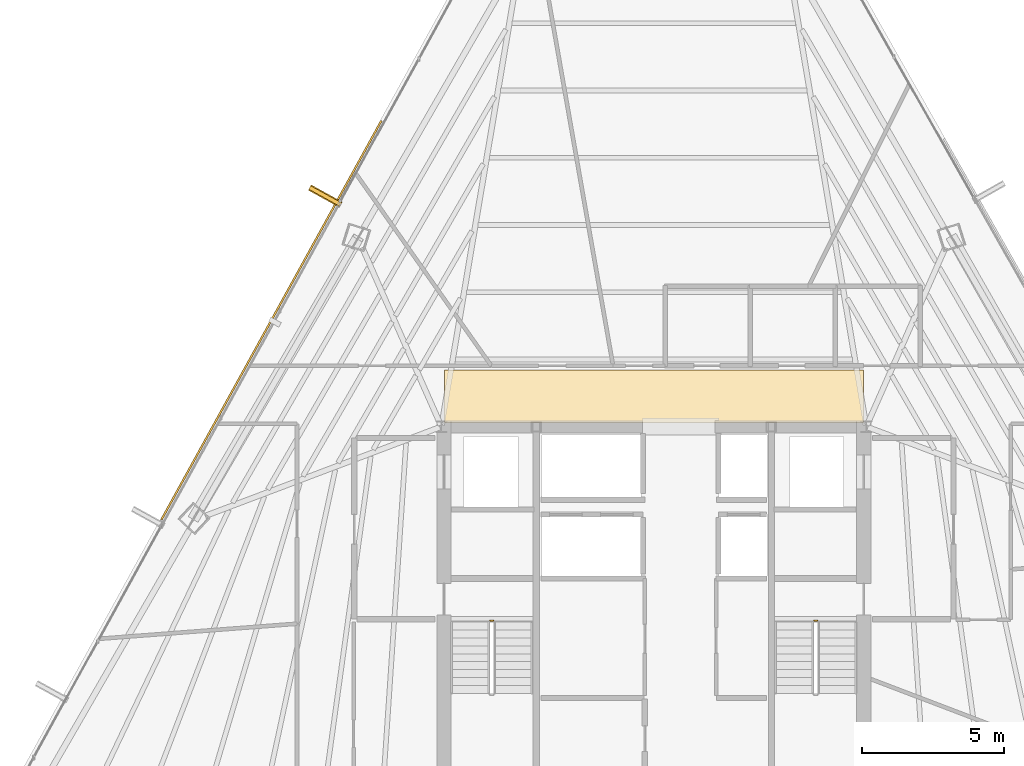
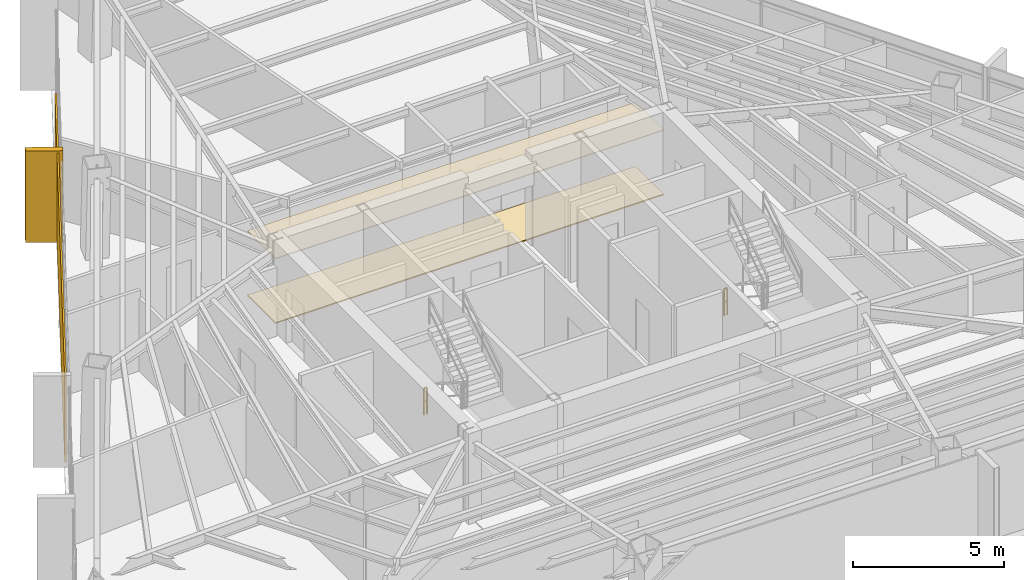
# One storey, part 39 of 40: 3 coverings, 2 railings, 2 shading devices.
"""IFC4 building model written with IfcOpenShell, lengths in metres."""

import ifcopenshell
import ifcopenshell.guid

model = None  # the IFC model being written
_history = None  # IfcOwnerHistory: only IFC2X3 demands one
_inside = {}  # id of a spatial element -> (the spatial element, [elements in it])
_under = {}  # id of a project, library or spatial element -> (it, [spatial elements below it])
_declared = {}  # id of a project -> (the project, [libraries it declares])
_typed = {}  # id of a type object -> (the type object, [elements of that type])
_made_of = {}  # id of a material, layer set ... -> (it, [elements and type objects made of it])


def new_model(schema):
    """Start an empty IFC model of exactly this schema.

    Asked for "IFC4X3", IfcOpenShell would pick the latest addendum, in which some entities
    have other attributes; the version numbers below select the first issue.
    IFC2X3 requires an IfcOwnerHistory on every rooted entity: one is made here for all.
    """
    global model, _history
    if schema == "IFC4X3":
        model = ifcopenshell.file(schema_version=(4, 3, 0, 0))
    else:
        model = ifcopenshell.file(schema=schema)
    _inside.clear()
    _under.clear()
    _declared.clear()
    _typed.clear()
    _made_of.clear()
    _history = None
    if model.schema == "IFC2X3":
        org = make("IfcOrganization", Name="unknown")
        user = make(
            "IfcPersonAndOrganization",
            ThePerson=make("IfcPerson", FamilyName="unknown"),
            TheOrganization=org,
        )
        app = make(
            "IfcApplication",
            ApplicationDeveloper=org,
            Version="unknown",
            ApplicationFullName="unknown",
            ApplicationIdentifier="unknown",
        )
        _history = make(
            "IfcOwnerHistory",
            OwningUser=user,
            OwningApplication=app,
            ChangeAction="ADDED",
            CreationDate=0,
        )
    return model


def make(cls, **values):
    """One entity of the class cls with the attributes given. An attribute that is None is left unset."""
    return model.create_entity(
        cls, **{name: value for name, value in values.items() if value is not None}
    )


def rooted(cls, **values):
    """An entity with a GlobalId (a new one), such as an element, a storey or a relation."""
    return make(cls, GlobalId=ifcopenshell.guid.new(), OwnerHistory=_history, **values)


def si_unit(unit_type, name, prefix=None):
    """IfcSIUnit, for example si_unit("LENGTHUNIT", "METRE", prefix="MILLI")."""
    return make("IfcSIUnit", UnitType=unit_type, Prefix=prefix, Name=name)


def assignment(units):
    """IfcUnitAssignment: the units of a project."""
    return None if units is None else make("IfcUnitAssignment", Units=units)


def point(xyz):
    """IfcCartesianPoint."""
    return None if xyz is None else make("IfcCartesianPoint", Coordinates=xyz)


def direction(xyz):
    """IfcDirection."""
    return None if xyz is None else make("IfcDirection", DirectionRatios=xyz)


def frame(location, z_axis=None, x_axis=None):
    """IfcAxis2Placement3D, a coordinate frame: its origin and axes. An axis left out is left unset."""
    return make(
        "IfcAxis2Placement3D",
        Location=point(location),
        Axis=direction(z_axis),
        RefDirection=direction(x_axis),
    )


def frame_2d(location, x_axis=None):
    """IfcAxis2Placement2D, a coordinate frame in the plane: its origin and x axis."""
    return make(
        "IfcAxis2Placement2D", Location=point(location), RefDirection=direction(x_axis)
    )


def origin():
    """The frame at (0, 0, 0) with its axes left unset."""
    return frame((0.0, 0.0, 0.0))


def origin_2d():
    """The frame at (0, 0) in the plane with its x axis left unset."""
    return frame_2d((0.0, 0.0))


def place(relative_to, where):
    """IfcLocalPlacement: puts the frame where relative to a parent placement (None: the world)."""
    return make(
        "IfcLocalPlacement", PlacementRelTo=relative_to, RelativePlacement=where
    )


def context(
    kind, dimensions, precision=None, world=None, true_north=None, identifier=None
):
    """IfcGeometricRepresentationContext, for example the 3D "Model" context."""
    return make(
        "IfcGeometricRepresentationContext",
        ContextIdentifier=identifier,
        ContextType=kind,
        CoordinateSpaceDimension=dimensions,
        Precision=precision,
        WorldCoordinateSystem=world,
        TrueNorth=true_north,
    )


def subcontext(parent, identifier, kind, view, scale=None):
    """IfcGeometricRepresentationSubContext, for example "Body" below "Model"."""
    return make(
        "IfcGeometricRepresentationSubContext",
        ContextIdentifier=identifier,
        ContextType=kind,
        ParentContext=parent,
        TargetScale=scale,
        TargetView=view,
    )


def project(units=None, contexts=None):
    """IfcProject with its units and contexts."""
    return rooted(
        "IfcProject",
        Name="project",
        RepresentationContexts=contexts,
        UnitsInContext=assignment(units),
    )


def spatial(cls, under=None, at=None, **own):
    """A site, building, storey or space (cls), placed at a placement, below another one or the project."""
    s = rooted(cls, ObjectPlacement=at, **own)
    if under is not None:
        _under.setdefault(under.id(), (under, []))[1].append(s)
    return s


def polyline(points):
    """IfcPolyline through the points."""
    return make("IfcPolyline", Points=[point(p) for p in points])


def profile(cls, at=None, kind="AREA", **sizes):
    """A parametric profile (cls). Its sizes go by their IFC names, for example OverallWidth=200.0."""
    return make(cls, ProfileType=kind, Position=at, **sizes)


def rectangle(**sizes):
    """IfcRectangleProfileDef."""
    return profile("IfcRectangleProfileDef", **sizes)


def outline(outer, holes=None, kind="AREA"):
    """IfcArbitraryClosedProfileDef: a profile drawn as a closed curve; with holes, ...WithVoids."""
    if holes is None:
        return make("IfcArbitraryClosedProfileDef", ProfileType=kind, OuterCurve=outer)
    return make(
        "IfcArbitraryProfileDefWithVoids",
        ProfileType=kind,
        OuterCurve=outer,
        InnerCurves=holes,
    )


def extrude(swept, where, along, depth):
    """IfcExtrudedAreaSolid: the profile swept, set in the frame where, extruded along a direction by depth."""
    return make(
        "IfcExtrudedAreaSolid",
        SweptArea=swept,
        Position=where,
        ExtrudedDirection=direction(along),
        Depth=depth,
    )


def shape(context_of_items, identifier, shape_type, items):
    """IfcShapeRepresentation: the items that make up one representation, for example the "Body"."""
    return make(
        "IfcShapeRepresentation",
        ContextOfItems=context_of_items,
        RepresentationIdentifier=identifier,
        RepresentationType=shape_type,
        Items=items,
    )


def source(mapping_origin, context_of_items, identifier, shape_type, items):
    """IfcRepresentationMap: a shape defined once, which mapped items show again and again."""
    return make(
        "IfcRepresentationMap",
        MappingOrigin=mapping_origin,
        MappedRepresentation=shape(context_of_items, identifier, shape_type, items),
    )


def transform(
    local_origin,
    x_axis=None,
    y_axis=None,
    z_axis=None,
    scale=None,
    scale2=None,
    scale3=None,
    uniform=True,
):
    """IfcCartesianTransformationOperator3D, or its non-uniform kind. x_axis, y_axis, z_axis: its Axis1, 2, 3."""
    if uniform:
        return make(
            "IfcCartesianTransformationOperator3D",
            Axis1=direction(x_axis),
            Axis2=direction(y_axis),
            LocalOrigin=point(local_origin),
            Scale=scale,
            Axis3=direction(z_axis),
        )
    return make(
        "IfcCartesianTransformationOperator3DnonUniform",
        Axis1=direction(x_axis),
        Axis2=direction(y_axis),
        LocalOrigin=point(local_origin),
        Scale=scale,
        Axis3=direction(z_axis),
        Scale2=scale2,
        Scale3=scale3,
    )


def mapped(mapping_source, mapping_target):
    """IfcMappedItem: shows the shape of a source again, moved by a transform."""
    return make(
        "IfcMappedItem", MappingSource=mapping_source, MappingTarget=mapping_target
    )


def material(Name=None, Category=None):
    """IfcMaterial."""
    return make("IfcMaterial", Name=Name, Category=Category)


def layer(
    of_material, thickness, ventilated=None, Name=None, Category=None, Priority=None
):
    """IfcMaterialLayer: one layer of a wall or slab, of a material (None: an air gap)."""
    return make(
        "IfcMaterialLayer",
        Material=of_material,
        LayerThickness=thickness,
        IsVentilated=ventilated,
        Name=Name,
        Category=Category,
        Priority=Priority,
    )


def layer_set(layers, Name=None):
    """IfcMaterialLayerSet."""
    return make("IfcMaterialLayerSet", MaterialLayers=layers, LayerSetName=Name)


def made_of(thing, what):
    """Note that an element or type object is made of a material, layer set ...; save() writes the relation."""
    if what is not None:
        _made_of.setdefault(what.id(), (what, []))[1].append(thing)
    return thing


def type_object(cls, material=None, **own):
    """A type object (cls), such as IfcWallType, which elements share."""
    return made_of(rooted(cls, **own), material)


def type_shapes(of_type, sources):
    """Give a type object the sources (RepresentationMaps) that its elements show as mapped items."""
    of_type.RepresentationMaps = sources


def element(
    cls,
    number,
    at=None,
    inside=None,
    cuts=None,
    type_object=None,
    material=None,
    context=None,
    identifier="Body",
    shape_type=None,
    held_by="IfcProductDefinitionShape",
    body=None,
    shapes=None,
    **own,
):
    """One element of the class cls, such as IfcWall. Its Tag is "e" and its number.

    at: its placement. inside: the storey or other place that contains it. cuts: it is an
    opening in that element (IfcRelVoidsElement). A single representation is given by context,
    identifier, shape_type and body (its items); several are given by shapes. held_by: the class
    of the entity that holds the representations. save() writes the other relations.
    """
    e = rooted(cls, Tag="e%d" % number, ObjectPlacement=at, **own)
    if body is not None:
        shapes = [shape(context, identifier, shape_type, body)]
    if shapes is not None:
        e.Representation = make(held_by, Representations=shapes)
    if inside is not None:
        _inside.setdefault(inside.id(), (inside, []))[1].append(e)
    if cuts is not None:
        rooted(
            "IfcRelVoidsElement", RelatingBuildingElement=cuts, RelatedOpeningElement=e
        )
    if type_object is not None:
        _typed.setdefault(type_object.id(), (type_object, []))[1].append(e)
    return made_of(e, material)


def aggregate(whole, parts):
    """IfcRelAggregates: a whole, such as a stair, and the parts it consists of."""
    return rooted("IfcRelAggregates", RelatingObject=whole, RelatedObjects=parts)


def save(model, path):
    """Write the relations noted so far, then the file.

    IfcRelAggregates (storeys below a building ...), IfcRelContainedInSpatialStructure (elements
    in a storey), IfcRelDefinesByType, IfcRelAssociatesMaterial and IfcRelDeclares: one each for
    every whole, place, type object, material and project.
    """
    for whole, parts in _under.values():
        aggregate(whole, parts)
    for where, things in _inside.values():
        rooted(
            "IfcRelContainedInSpatialStructure",
            RelatedElements=things,
            RelatingStructure=where,
        )
    for kind, things in _typed.values():
        rooted("IfcRelDefinesByType", RelatedObjects=things, RelatingType=kind)
    for what, things in _made_of.values():
        rooted("IfcRelAssociatesMaterial", RelatedObjects=things, RelatingMaterial=what)
    for by, libraries in _declared.values():
        rooted("IfcRelDeclares", RelatingContext=by, RelatedDefinitions=libraries)
    model.write(path)


model = new_model("IFC4")

# Units and contexts
model_context = context("Model", 3, precision=1e-05, world=origin(), true_north=direction((0.0, 1.0)))
body_context = subcontext(model_context, "Body", "Model", "MODEL_VIEW")
ifc_project = project(units=[si_unit("LENGTHUNIT", "METRE"), si_unit("AREAUNIT", "SQUARE_METRE"), si_unit("VOLUMEUNIT", "CUBIC_METRE"), si_unit("PLANEANGLEUNIT", "RADIAN"), si_unit("MASSUNIT", "GRAM", prefix="KILO")], contexts=[model_context])

# Site, building, storey
site_placement = place(None, origin())
site = spatial("IfcSite", under=ifc_project, at=site_placement, CompositionType="ELEMENT")
building_placement = place(site_placement, origin())
building = spatial("IfcBuilding", under=site, at=building_placement, Name="Caelisora Broadcast Tower", CompositionType="ELEMENT")
storey_placement = place(building_placement, frame((0.0, 0.0, 216.89990234375)))
storey = spatial("IfcBuildingStorey", under=building, at=storey_placement, Name="L57", CompositionType="ELEMENT", Elevation=216.89990234375)

# Coverings
ifc_material_1 = material(Name="Perforated Mineral-Fibre Acoustic Ceiling Tile", Category="gypsum")
ifc_layer_1 = layer(ifc_material_1, 0.034912109375, Name="Perforated Mineral-Fibre Acoustic Ceiling Tile")
ifc_layer_set_1 = layer_set([ifc_layer_1], Name="Perforated Mineral-Fibre Acoustic Ceiling Tile")
covering_type_1 = type_object("IfcCoveringType", Name="CE-1", PredefinedType="CEILING", material=ifc_layer_set_1)
covering_1_placement = place(storey_placement, frame((0.0, 0.0, 2.60009765625)))
element("IfcCovering", 1, at=covering_1_placement, inside=storey, type_object=covering_type_1, Name="L57 acoustic corridor ceiling CE-1 (N)", PredefinedType="CEILING", context=body_context, shape_type="SweptSolid", body=[
    extrude(outline(polyline([(30.60009765625, 30.14990234375), (45.39990234375, 30.14990234375), (45.39990234375, 32.0), (30.60009765625, 32.0), (30.60009765625, 30.14990234375)])), origin(), (0.0, 0.0, 1.0), 0.034912109375),
])
ifc_material_2 = material(Name="Anti-Static Broadcast Raised Access Floor Panel", Category="steel")
ifc_layer_2 = layer(ifc_material_2, 0.044921875, Name="Anti-Static Broadcast Raised Access Floor Panel")
ifc_layer_set_2 = layer_set([ifc_layer_2], Name="Anti-Static Broadcast Raised Access Floor Panel")
covering_type_2 = type_object("IfcCoveringType", Name="FL-1", PredefinedType="FLOORING", material=ifc_layer_set_2)
covering_2_placement = place(storey_placement, origin())
element("IfcCovering", 2, at=covering_2_placement, inside=storey, type_object=covering_type_2, Name="L57 broadcast raised access floor FL-1 (N)", PredefinedType="FLOORING", context=body_context, shape_type="SweptSolid", body=[
    extrude(outline(polyline([(30.60009765625, 30.14990234375), (45.39990234375, 30.14990234375), (45.39990234375, 32.0), (30.60009765625, 32.0), (30.60009765625, 30.14990234375)])), origin(), (0.0, 0.0, 1.0), 0.045166015625),
])

# Railings
ifc_material_3 = material(Name="Galvanised Steel Safety Guardrail", Category="steel")
ifc_layer_3 = layer(ifc_material_3, 0.048095703125, Name="Galvanised Steel Safety Guardrail")
ifc_layer_set_3 = layer_set([ifc_layer_3], Name="Galvanised Steel Safety Guardrail")
railing_type = type_object("IfcRailingType", Name="GR-1", PredefinedType="GUARDRAIL", material=ifc_layer_set_3)
for number, where, name in (
    (3, (32.219970703125, 23.14990234375, 0.0), "L57 ST-1 stair guard 4"),
    (4, (43.659912109375, 23.14990234375, 0.0), "L57 ST-2 stair guard 4"),
):
    element("IfcRailing", number, at=place(storey_placement, frame(where)), inside=storey, type_object=railing_type, Name=name, PredefinedType="GUARDRAIL", context=body_context, shape_type="SweptSolid", body=[
        extrude(rectangle(XDim=0.048095703125, YDim=0.048095703125, at=origin_2d()), frame((0.0, 0.0, 1.076171875), z_axis=(1.0, 0.0, 0.0), x_axis=(0.0, 1.0, 0.0)), (0.0, 0.0, 1.0), 0.1201171875),
        extrude(rectangle(XDim=0.03125, YDim=0.03125, at=origin_2d()), frame((0.0, 0.0, 0.550048828125), z_axis=(1.0, 0.0, 0.0), x_axis=(0.0, 1.0, 0.0)), (0.0, 0.0, 1.0), 0.1201171875),
        extrude(rectangle(XDim=0.0419921875, YDim=0.0419921875, at=origin_2d()), origin(), (0.0, 0.0, 1.0), 1.052001953125),
        extrude(rectangle(XDim=0.0419921875, YDim=0.0419921875, at=origin_2d()), frame((0.1201171875, 0.0, 0.0)), (0.0, 0.0, 1.0), 1.052001953125),
    ])

# Covering
ifc_material_4 = material(Name="Kiln-Fired Terracotta Spandrel Rainscreen Cladding", Category="ceramic")
ifc_layer_4 = layer(ifc_material_4, 0.044921875, Name="Kiln-Fired Terracotta Spandrel Rainscreen Cladding")
ifc_layer_set_4 = layer_set([ifc_layer_4], Name="Kiln-Fired Terracotta Spandrel Rainscreen Cladding")
covering_type_3 = type_object("IfcCoveringType", Name="CL-1", PredefinedType="CLADDING", material=ifc_layer_set_4)
shared_shape_1 = source(origin(), body_context, "Body", "SweptSolid", [
    extrude(rectangle(XDim=0.219970703125, YDim=1.25, at=origin_2d()), origin(), (0.0, 0.0, 1.0), 3.68994140625),
])
type_shapes(covering_type_3, [shared_shape_1])
covering_3_placement = place(storey_placement, frame((26.397216796875, 38.140380859375, -0.019775390625), z_axis=(0.0, 0.0, 1.0), x_axis=(0.482823924874, 0.875717453046, 0.0)))
element("IfcCovering", 5, at=covering_3_placement, inside=storey, type_object=covering_type_3, Name="L57 vertical solar fin cladding #3-3", PredefinedType="CLADDING", context=body_context, shape_type="MappedRepresentation", body=[
    mapped(shared_shape_1, transform((0.0, 0.0, 0.0), scale=1.0)),
])

# Shading devices
ifc_material_5 = material(Name="Extruded Terracotta Flaring Colonnade Fin", Category="ceramic")
ifc_layer_5 = layer(ifc_material_5, 0.139892578125, Name="Extruded Terracotta Flaring Colonnade Fin")
ifc_layer_set_5 = layer_set([ifc_layer_5], Name="Extruded Terracotta Flaring Colonnade Fin")
shading_device_type_1 = type_object("IfcShadingDeviceType", Name="FN-1", PredefinedType="USERDEFINED", material=ifc_layer_set_5)
shared_shape_2 = source(origin(), body_context, "Body", "SweptSolid", [
    extrude(rectangle(XDim=0.139892578125, YDim=1.25, at=origin_2d()), origin(), (0.0, 0.0, 1.0), 3.669921875),
])
type_shapes(shading_device_type_1, [shared_shape_2])
shading_device_1_placement = place(storey_placement, frame((26.397216796875, 38.140380859375, -0.009765625), z_axis=(0.0, 0.0, 1.0), x_axis=(0.482823924874, 0.875717453046, 0.0)))
element("IfcShadingDevice", 6, at=shading_device_1_placement, inside=storey, type_object=shading_device_type_1, Name="L57 vertical terracotta fin #3-3", ObjectType="FIN", PredefinedType="USERDEFINED", context=body_context, shape_type="MappedRepresentation", body=[
    mapped(shared_shape_2, transform((0.0, 0.0, 0.0), scale=1.0)),
])
ifc_material_6 = material(Name="Perforated Glazed Terracotta Baguette Solar Screen", Category="ceramic")
ifc_layer_6 = layer(ifc_material_6, 0.06494140625, Name="Perforated Glazed Terracotta Baguette Solar Screen")
ifc_layer_set_6 = layer_set([ifc_layer_6], Name="Perforated Glazed Terracotta Baguette Solar Screen")
shading_device_type_2 = type_object("IfcShadingDeviceType", Name="SS-1", PredefinedType="USERDEFINED", material=ifc_layer_set_6)
shared_shape_3 = source(origin(), body_context, "Body", "SweptSolid", [
    extrude(rectangle(XDim=16.089111328125, YDim=0.06494140625, at=origin_2d()), origin(), (0.0, 0.0, 1.0), 3.590087890625),
])
type_shapes(shading_device_type_2, [shared_shape_3])
shading_device_2_placement = place(storey_placement, frame((24.4951171875, 33.7587890625, 0.0), z_axis=(0.0, 0.0, 1.0), x_axis=(-0.482823924874, -0.875717453046, 0.0)))
element("IfcShadingDevice", 7, at=shading_device_2_placement, inside=storey, type_object=shading_device_type_2, Name="L57 perforated terracotta solar screen #1", ObjectType="SOLAR SCREEN", PredefinedType="USERDEFINED", context=body_context, shape_type="MappedRepresentation", body=[
    mapped(shared_shape_3, transform((0.0, 0.0, 0.0), scale=1.0)),
])

save(model, "model.ifc")
